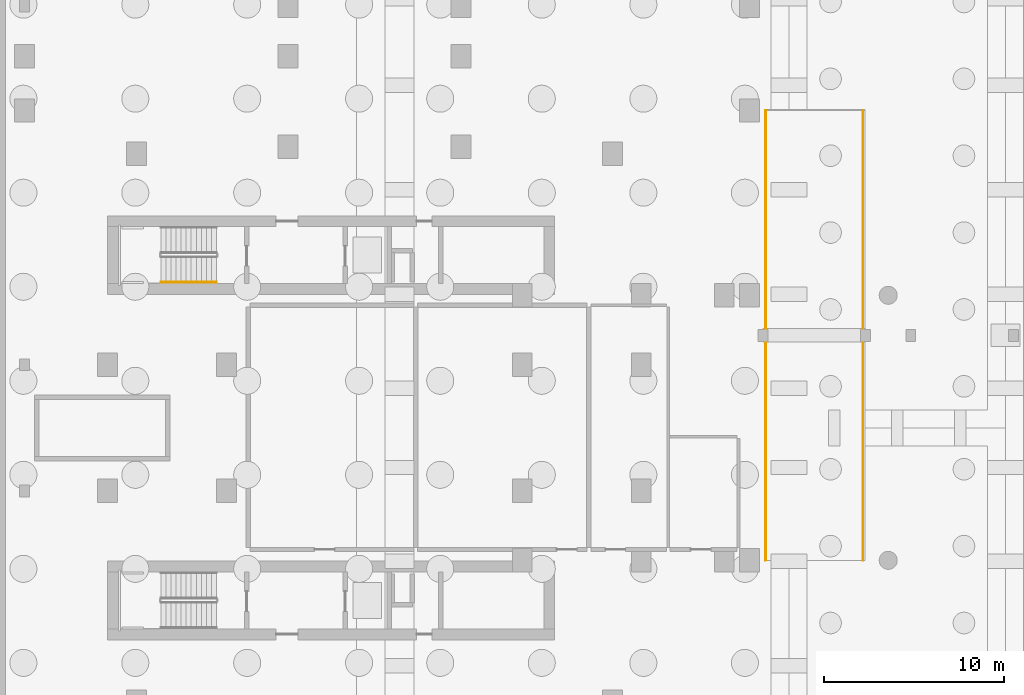
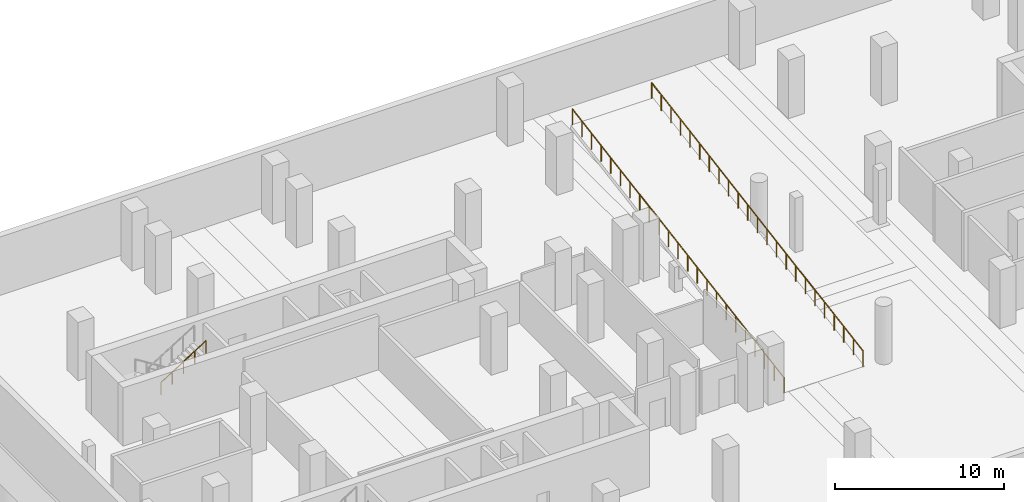
# One storey, part 11 of 14: 3 railings.
"""IFC4 building model written with IfcOpenShell, lengths in metres."""

from ifc_helpers import new_model, si_unit, derived_unit, direction, frame, origin, origin_2d, place, context, subcontext, project, spatial, circle, extrude, material, type_object, element, save


model = new_model("IFC4")

# Units and contexts
model_context = context("Model", 3, precision=1e-05, world=origin(), true_north=direction((0.0, 1.0)))
body_context = subcontext(model_context, "Body", "Model", "MODEL_VIEW")
ifc_project = project(units=[si_unit("LENGTHUNIT", "METRE"), si_unit("AREAUNIT", "SQUARE_METRE"), si_unit("VOLUMEUNIT", "CUBIC_METRE"), si_unit("PLANEANGLEUNIT", "RADIAN"), si_unit("MASSUNIT", "GRAM", prefix="KILO"), derived_unit("THERMALTRANSMITTANCEUNIT", [(si_unit("POWERUNIT", "WATT"), 1), (si_unit("LENGTHUNIT", "METRE"), -2), (si_unit("THERMODYNAMICTEMPERATUREUNIT", "KELVIN"), -1)])], contexts=[model_context])

# Site, building, storey
site_placement = place(None, origin())
site = spatial("IfcSite", under=ifc_project, at=site_placement, CompositionType="ELEMENT")
building_placement = place(site_placement, origin())
building = spatial("IfcBuilding", under=site, at=building_placement, Name="Kivonza Crest Hotel", CompositionType="ELEMENT")
storey_placement = place(building_placement, frame((0.0, 0.0, -8.39990234375)))
storey = spatial("IfcBuildingStorey", under=building, at=storey_placement, Name="B2", CompositionType="ELEMENT", Elevation=-8.39990234375)

# Railings
ifc_material_1 = material(Name="Brushed stainless steel handrail", Category="steel")
railing_type_1 = type_object("IfcRailingType", Name="RL-HAND-900", PredefinedType="HANDRAIL", material=ifc_material_1)
railing_1_placement = place(storey_placement, frame((9.159912109375, 33.070068359375, 2.27490234375)))
element("IfcRailing", 1, at=railing_1_placement, inside=storey, type_object=railing_type_1, Name="B2 ST-T1-N stair handrail 2", PredefinedType="HANDRAIL", context=body_context, shape_type="SweptSolid", body=[
    extrude(circle(Radius=0.02392578125, at=origin_2d()), frame((0.0, 0.0, 0.8759765625), z_axis=(0.847998304005, 0.0, 0.529998940003), x_axis=(0.0, 1.0, 0.0)), (0.0, 0.0, 1.0), 3.632080078125),
    extrude(circle(Radius=0.02099609375, at=origin_2d()), origin(), (0.0, 0.0, 1.0), 0.851806640625),
    extrude(circle(Radius=0.02099609375, at=origin_2d()), frame((0.77001953125, 0.0, 0.481201171875)), (0.0, 0.0, 1.0), 0.851806640625),
    extrude(circle(Radius=0.02099609375, at=origin_2d()), frame((1.5400390625, 0.0, 0.96240234375)), (0.0, 0.0, 1.0), 0.851806640625),
    extrude(circle(Radius=0.02099609375, at=origin_2d()), frame((2.31005859375, 0.0, 1.44384765625)), (0.0, 0.0, 1.0), 0.851806640625),
    extrude(circle(Radius=0.02099609375, at=origin_2d()), frame((3.080078125, 0.0, 1.925048828125)), (0.0, 0.0, 1.0), 0.851806640625),
])
ifc_material_2 = material(Name="Painted steel balustrade", Category="steel")
railing_type_2 = type_object("IfcRailingType", Name="RL-STAIR-1150", PredefinedType="BALUSTRADE", material=ifc_material_2)
railing_2_placement = place(storey_placement, frame((42.699951171875, 17.64990234375, 0.0)))
element("IfcRailing", 2, at=railing_2_placement, inside=storey, type_object=railing_type_2, Name="B2 vehicle ramp edge safety guard", PredefinedType="BALUSTRADE", context=body_context, shape_type="SweptSolid", body=[
    extrude(circle(Radius=0.02392578125, at=origin_2d()), frame((0.0, 0.0, 1.1259765625), z_axis=(0.0, 0.986126096497, 0.165997957239), x_axis=(-1.0, 0.0, 0.0)), (0.0, 0.0, 1.0), 25.30126953125),
    extrude(circle(Radius=0.02099609375, at=origin_2d()), origin(), (0.0, 0.0, 1.0), 1.101806640625),
    extrude(circle(Radius=0.02099609375, at=origin_2d()), frame((0.0, 1.134033203125, 0.19091796875)), (0.0, 0.0, 1.0), 1.101806640625),
    extrude(circle(Radius=0.02099609375, at=origin_2d()), frame((0.0, 2.268310546875, 0.3818359375)), (0.0, 0.0, 1.0), 1.101806640625),
    extrude(circle(Radius=0.02099609375, at=origin_2d()), frame((0.0, 3.40234375, 0.57275390625)), (0.0, 0.0, 1.0), 1.101806640625),
    extrude(circle(Radius=0.02099609375, at=origin_2d()), frame((0.0, 4.536376953125, 0.763671875)), (0.0, 0.0, 1.0), 1.101806640625),
    extrude(circle(Radius=0.02099609375, at=origin_2d()), frame((0.0, 5.67041015625, 0.95458984375)), (0.0, 0.0, 1.0), 1.101806640625),
    extrude(circle(Radius=0.02099609375, at=origin_2d()), frame((0.0, 6.8046875, 1.1455078125)), (0.0, 0.0, 1.0), 1.101806640625),
    extrude(circle(Radius=0.02099609375, at=origin_2d()), frame((0.0, 7.938720703125, 1.33642578125)), (0.0, 0.0, 1.0), 1.101806640625),
    extrude(circle(Radius=0.02099609375, at=origin_2d()), frame((0.0, 9.07275390625, 1.52734375)), (0.0, 0.0, 1.0), 1.101806640625),
    extrude(circle(Radius=0.02099609375, at=origin_2d()), frame((0.0, 10.206787109375, 1.71826171875)), (0.0, 0.0, 1.0), 1.101806640625),
    extrude(circle(Radius=0.02099609375, at=origin_2d()), frame((0.0, 11.341064453125, 1.9091796875)), (0.0, 0.0, 1.0), 1.101806640625),
    extrude(circle(Radius=0.02099609375, at=origin_2d()), frame((0.0, 12.47509765625, 2.10009765625)), (0.0, 0.0, 1.0), 1.101806640625),
    extrude(circle(Radius=0.02099609375, at=origin_2d()), frame((0.0, 13.609130859375, 2.290771484375)), (0.0, 0.0, 1.0), 1.101806640625),
    extrude(circle(Radius=0.02099609375, at=origin_2d()), frame((0.0, 14.743408203125, 2.481689453125)), (0.0, 0.0, 1.0), 1.101806640625),
    extrude(circle(Radius=0.02099609375, at=origin_2d()), frame((0.0, 15.87744140625, 2.672607421875)), (0.0, 0.0, 1.0), 1.101806640625),
    extrude(circle(Radius=0.02099609375, at=origin_2d()), frame((0.0, 17.011474609375, 2.863525390625)), (0.0, 0.0, 1.0), 1.101806640625),
    extrude(circle(Radius=0.02099609375, at=origin_2d()), frame((0.0, 18.1455078125, 3.054443359375)), (0.0, 0.0, 1.0), 1.101806640625),
    extrude(circle(Radius=0.02099609375, at=origin_2d()), frame((0.0, 19.27978515625, 3.245361328125)), (0.0, 0.0, 1.0), 1.101806640625),
    extrude(circle(Radius=0.02099609375, at=origin_2d()), frame((0.0, 20.413818359375, 3.436279296875)), (0.0, 0.0, 1.0), 1.101806640625),
    extrude(circle(Radius=0.02099609375, at=origin_2d()), frame((0.0, 21.5478515625, 3.627197265625)), (0.0, 0.0, 1.0), 1.101806640625),
    extrude(circle(Radius=0.02099609375, at=origin_2d()), frame((0.0, 22.681884765625, 3.818115234375)), (0.0, 0.0, 1.0), 1.101806640625),
    extrude(circle(Radius=0.02099609375, at=origin_2d()), frame((0.0, 23.816162109375, 4.009033203125)), (0.0, 0.0, 1.0), 1.101806640625),
    extrude(circle(Radius=0.02099609375, at=origin_2d()), frame((0.0, 24.9501953125, 4.199951171875)), (0.0, 0.0, 1.0), 1.101806640625),
])
railing_3_placement = place(storey_placement, frame((48.10009765625, 17.64990234375, 0.0)))
element("IfcRailing", 3, at=railing_3_placement, inside=storey, type_object=railing_type_2, Name="B2 vehicle ramp edge safety guard", PredefinedType="BALUSTRADE", context=body_context, shape_type="SweptSolid", body=[
    extrude(circle(Radius=0.02392578125, at=origin_2d()), frame((0.0, 0.0, 1.1259765625), z_axis=(0.0, 0.986126096497, 0.165997957239), x_axis=(-1.0, 0.0, 0.0)), (0.0, 0.0, 1.0), 25.30126953125),
    extrude(circle(Radius=0.02099609375, at=origin_2d()), origin(), (0.0, 0.0, 1.0), 1.101806640625),
    extrude(circle(Radius=0.02099609375, at=origin_2d()), frame((0.0, 1.134033203125, 0.19091796875)), (0.0, 0.0, 1.0), 1.101806640625),
    extrude(circle(Radius=0.02099609375, at=origin_2d()), frame((0.0, 2.268310546875, 0.3818359375)), (0.0, 0.0, 1.0), 1.101806640625),
    extrude(circle(Radius=0.02099609375, at=origin_2d()), frame((0.0, 3.40234375, 0.57275390625)), (0.0, 0.0, 1.0), 1.101806640625),
    extrude(circle(Radius=0.02099609375, at=origin_2d()), frame((0.0, 4.536376953125, 0.763671875)), (0.0, 0.0, 1.0), 1.101806640625),
    extrude(circle(Radius=0.02099609375, at=origin_2d()), frame((0.0, 5.67041015625, 0.95458984375)), (0.0, 0.0, 1.0), 1.101806640625),
    extrude(circle(Radius=0.02099609375, at=origin_2d()), frame((0.0, 6.8046875, 1.1455078125)), (0.0, 0.0, 1.0), 1.101806640625),
    extrude(circle(Radius=0.02099609375, at=origin_2d()), frame((0.0, 7.938720703125, 1.33642578125)), (0.0, 0.0, 1.0), 1.101806640625),
    extrude(circle(Radius=0.02099609375, at=origin_2d()), frame((0.0, 9.07275390625, 1.52734375)), (0.0, 0.0, 1.0), 1.101806640625),
    extrude(circle(Radius=0.02099609375, at=origin_2d()), frame((0.0, 10.206787109375, 1.71826171875)), (0.0, 0.0, 1.0), 1.101806640625),
    extrude(circle(Radius=0.02099609375, at=origin_2d()), frame((0.0, 11.341064453125, 1.9091796875)), (0.0, 0.0, 1.0), 1.101806640625),
    extrude(circle(Radius=0.02099609375, at=origin_2d()), frame((0.0, 12.47509765625, 2.10009765625)), (0.0, 0.0, 1.0), 1.101806640625),
    extrude(circle(Radius=0.02099609375, at=origin_2d()), frame((0.0, 13.609130859375, 2.290771484375)), (0.0, 0.0, 1.0), 1.101806640625),
    extrude(circle(Radius=0.02099609375, at=origin_2d()), frame((0.0, 14.743408203125, 2.481689453125)), (0.0, 0.0, 1.0), 1.101806640625),
    extrude(circle(Radius=0.02099609375, at=origin_2d()), frame((0.0, 15.87744140625, 2.672607421875)), (0.0, 0.0, 1.0), 1.101806640625),
    extrude(circle(Radius=0.02099609375, at=origin_2d()), frame((0.0, 17.011474609375, 2.863525390625)), (0.0, 0.0, 1.0), 1.101806640625),
    extrude(circle(Radius=0.02099609375, at=origin_2d()), frame((0.0, 18.1455078125, 3.054443359375)), (0.0, 0.0, 1.0), 1.101806640625),
    extrude(circle(Radius=0.02099609375, at=origin_2d()), frame((0.0, 19.27978515625, 3.245361328125)), (0.0, 0.0, 1.0), 1.101806640625),
    extrude(circle(Radius=0.02099609375, at=origin_2d()), frame((0.0, 20.413818359375, 3.436279296875)), (0.0, 0.0, 1.0), 1.101806640625),
    extrude(circle(Radius=0.02099609375, at=origin_2d()), frame((0.0, 21.5478515625, 3.627197265625)), (0.0, 0.0, 1.0), 1.101806640625),
    extrude(circle(Radius=0.02099609375, at=origin_2d()), frame((0.0, 22.681884765625, 3.818115234375)), (0.0, 0.0, 1.0), 1.101806640625),
    extrude(circle(Radius=0.02099609375, at=origin_2d()), frame((0.0, 23.816162109375, 4.009033203125)), (0.0, 0.0, 1.0), 1.101806640625),
    extrude(circle(Radius=0.02099609375, at=origin_2d()), frame((0.0, 24.9501953125, 4.199951171875)), (0.0, 0.0, 1.0), 1.101806640625),
])

save(model, "model.ifc")
